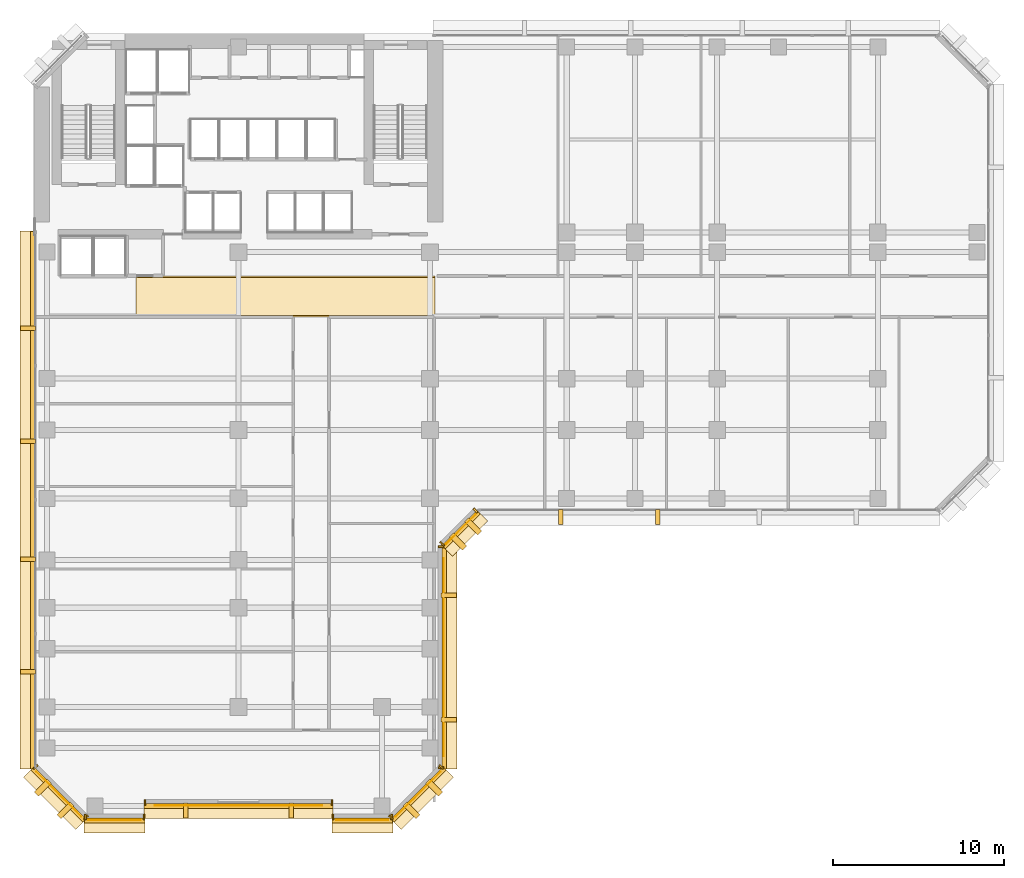
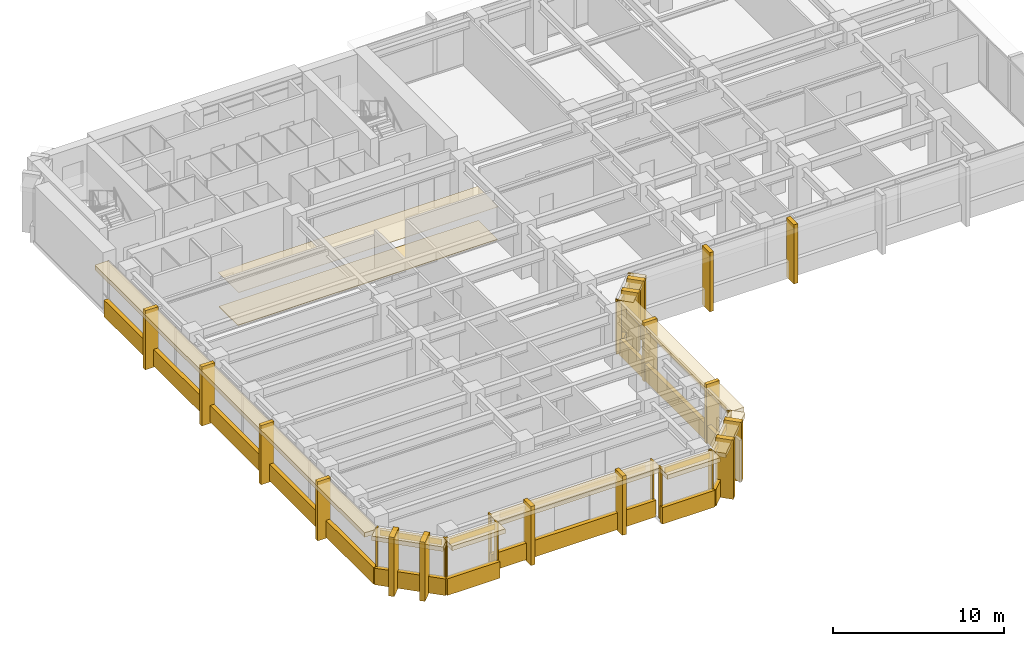
# One storey, part 10 of 14: 55 coverings.
"""IFC4 building model written with IfcOpenShell, lengths in metres."""

from ifc_helpers import new_model, si_unit, direction, frame, origin, origin_2d, place, context, subcontext, project, spatial, polyline, rectangle, outline, extrude, material, layer, layer_set, type_object, element, save


model = new_model("IFC4")

# Units and contexts
model_context = context("Model", 3, precision=1e-05, world=origin(), true_north=direction((0.0, 1.0)))
body_context = subcontext(model_context, "Body", "Model", "MODEL_VIEW")
ifc_project = project(units=[si_unit("LENGTHUNIT", "METRE"), si_unit("AREAUNIT", "SQUARE_METRE"), si_unit("VOLUMEUNIT", "CUBIC_METRE"), si_unit("PLANEANGLEUNIT", "RADIAN"), si_unit("MASSUNIT", "GRAM", prefix="KILO")], contexts=[model_context])

# Site, building, storey
site_placement = place(None, origin())
site = spatial("IfcSite", under=ifc_project, at=site_placement, CompositionType="ELEMENT")
building_placement = place(site_placement, origin())
building = spatial("IfcBuilding", under=site, at=building_placement, Name="Kefirva Bronze Tower", CompositionType="ELEMENT")
storey_placement = place(building_placement, frame((0.0, 0.0, 66.0)))
storey = spatial("IfcBuildingStorey", under=building, at=storey_placement, Name="L15", CompositionType="ELEMENT", Elevation=66.0)

# Coverings
ifc_material_1 = material(Name="Acoustic mineral tile")
ifc_layer_1 = layer(ifc_material_1, 0.02490234375, Name="Acoustic mineral tile")
ifc_layer_set_1 = layer_set([ifc_layer_1], Name="Acoustic mineral tile")
covering_type_1 = type_object("IfcCoveringType", Name="Acoustic Mineral Suspended Ceiling 25mm", PredefinedType="CEILING", material=ifc_layer_set_1)
covering_1_placement = place(storey_placement, frame((0.0, 0.0, 2.39990234375)))
element("IfcCovering", 1, at=covering_1_placement, inside=storey, type_object=covering_type_1, Name="L15 Corridor Acoustic Ceiling", PredefinedType="CEILING", context=body_context, shape_type="SweptSolid", body=[
    extrude(outline(polyline([(6.0, 29.39990234375), (23.5, 29.39990234375), (23.5, 31.800048828125), (6.0, 31.800048828125), (6.0, 29.39990234375)])), origin(), (0.0, 0.0, 1.0), 0.025146484375),
])
ifc_material_2 = material(Name="Bronze anodised aluminium", Category="aluminium")
ifc_layer_2 = layer(ifc_material_2, 0.02001953125, Name="Bronze anodised aluminium")
ifc_layer_set_2 = layer_set([ifc_layer_2], Name="Bronze anodised aluminium")
covering_type_2 = type_object("IfcCoveringType", Name="Anodised Bronze Spandrel Cladding 20mm", PredefinedType="CLADDING", material=ifc_layer_set_2)
covering_2_placement = place(storey_placement, frame((4.75, -0.010009765625, 3.2900390625), z_axis=(0.0, 0.0, 1.0), x_axis=(1.0, 0.0, 0.0)))
element("IfcCovering", 2, at=covering_2_placement, inside=storey, type_object=covering_type_2, Name="L15 Bronze Spandrel Cladding 1", PredefinedType="CLADDING", context=body_context, shape_type="SweptSolid", body=[
    extrude(rectangle(XDim=3.051025390625, YDim=0.02001953125, at=origin_2d()), origin(), (0.0, 0.0, 1.0), 0.39990234375),
])
for number, where, z_axis, x_axis, name in (
    (3, (3.034912109375, 0.159912109375, 0.0), (0.0, 0.0, 1.0), (1.0, 0.0, 0.0), "L15 Facade Joint Closure Panel 1S"),
    (4, (6.465087890625, 0.159912109375, 0.0), (0.0, 0.0, 1.0), (1.0, 0.0, 0.0), "L15 Facade Joint Closure Panel 1E"),
):
    element("IfcCovering", number, at=place(storey_placement, frame(where, z_axis=z_axis, x_axis=x_axis)), inside=storey, type_object=covering_type_2, Name=name, PredefinedType="CLADDING", context=body_context, shape_type="SweptSolid", body=[
        extrude(rectangle(XDim=0.10009765625, YDim=0.320068359375, at=origin_2d()), origin(), (0.0, 0.0, 1.0), 3.7099609375),
    ])
covering_3_placement = place(storey_placement, frame((4.75, -0.0400390625, -0.16015625), z_axis=(0.0, 0.0, 1.0), x_axis=(1.0, 0.0, 0.0)))
element("IfcCovering", 5, at=covering_3_placement, inside=storey, type_object=covering_type_2, Name="L15 Streamline Horizontal Spandrel Band 0", PredefinedType="CLADDING", context=body_context, shape_type="SweptSolid", body=[
    extrude(rectangle(XDim=3.5400390625, YDim=0.280029296875, at=origin_2d()), origin(), (0.0, 0.0, 1.0), 1.179931640625),
])
covering_4_placement = place(storey_placement, frame((12.0, 0.840087890625, 3.2900390625), z_axis=(0.0, 0.0, 1.0), x_axis=(1.0, 0.0, 0.0)))
element("IfcCovering", 6, at=covering_4_placement, inside=storey, type_object=covering_type_2, Name="L15 Bronze Spandrel Cladding 2", PredefinedType="CLADDING", context=body_context, shape_type="SweptSolid", body=[
    extrude(rectangle(XDim=9.801025390625, YDim=0.02001953125, at=origin_2d()), origin(), (0.0, 0.0, 1.0), 0.39990234375),
])
for number, where, z_axis, x_axis, name in (
    (7, (6.534912109375, 1.010009765625, 0.0), (0.0, 0.0, 1.0), (1.0, 0.0, 0.0), "L15 Facade Joint Closure Panel 2S"),
    (8, (17.465087890625, 1.010009765625, 0.0), (0.0, 0.0, 1.0), (1.0, 0.0, 0.0), "L15 Facade Joint Closure Panel 2E"),
):
    element("IfcCovering", number, at=place(storey_placement, frame(where, z_axis=z_axis, x_axis=x_axis)), inside=storey, type_object=covering_type_2, Name=name, PredefinedType="CLADDING", context=body_context, shape_type="SweptSolid", body=[
        extrude(rectangle(XDim=0.10009765625, YDim=0.320068359375, at=origin_2d()), origin(), (0.0, 0.0, 1.0), 3.7099609375),
    ])
covering_5_placement = place(storey_placement, frame((12.0, 0.81005859375, -0.16015625), z_axis=(0.0, 0.0, 1.0), x_axis=(1.0, 0.0, 0.0)))
element("IfcCovering", 9, at=covering_5_placement, inside=storey, type_object=covering_type_2, Name="L15 Streamline Horizontal Spandrel Band 2", PredefinedType="CLADDING", context=body_context, shape_type="SweptSolid", body=[
    extrude(rectangle(XDim=11.0400390625, YDim=0.280029296875, at=origin_2d()), origin(), (0.0, 0.0, 1.0), 1.179931640625),
])
covering_6_placement = place(storey_placement, frame((19.25, -0.010009765625, 3.2900390625), z_axis=(0.0, 0.0, 1.0), x_axis=(1.0, 0.0, 0.0)))
element("IfcCovering", 10, at=covering_6_placement, inside=storey, type_object=covering_type_2, Name="L15 Bronze Spandrel Cladding 3", PredefinedType="CLADDING", context=body_context, shape_type="SweptSolid", body=[
    extrude(rectangle(XDim=3.051025390625, YDim=0.02001953125, at=origin_2d()), origin(), (0.0, 0.0, 1.0), 0.39990234375),
])
for number, where, z_axis, x_axis, name in (
    (11, (17.534912109375, 0.159912109375, 0.0), (0.0, 0.0, 1.0), (1.0, 0.0, 0.0), "L15 Facade Joint Closure Panel 3S"),
    (12, (20.965087890625, 0.159912109375, 0.0), (0.0, 0.0, 1.0), (1.0, 0.0, 0.0), "L15 Facade Joint Closure Panel 3E"),
):
    element("IfcCovering", number, at=place(storey_placement, frame(where, z_axis=z_axis, x_axis=x_axis)), inside=storey, type_object=covering_type_2, Name=name, PredefinedType="CLADDING", context=body_context, shape_type="SweptSolid", body=[
        extrude(rectangle(XDim=0.10009765625, YDim=0.320068359375, at=origin_2d()), origin(), (0.0, 0.0, 1.0), 3.7099609375),
    ])
covering_7_placement = place(storey_placement, frame((19.25, -0.0400390625, -0.16015625), z_axis=(0.0, 0.0, 1.0), x_axis=(1.0, 0.0, 0.0)))
element("IfcCovering", 13, at=covering_7_placement, inside=storey, type_object=covering_type_2, Name="L15 Streamline Horizontal Spandrel Band 4", PredefinedType="CLADDING", context=body_context, shape_type="SweptSolid", body=[
    extrude(rectangle(XDim=3.5400390625, YDim=0.280029296875, at=origin_2d()), origin(), (0.0, 0.0, 1.0), 1.179931640625),
])
covering_8_placement = place(storey_placement, frame((22.507080078125, 1.492919921875, 3.2900390625), z_axis=(0.0, 0.0, 1.0), x_axis=(0.707106781187, 0.707106781187, 0.0)))
element("IfcCovering", 14, at=covering_8_placement, inside=storey, type_object=covering_type_2, Name="L15 Bronze Spandrel Cladding 4", PredefinedType="CLADDING", context=body_context, shape_type="SweptSolid", body=[
    extrude(rectangle(XDim=3.719482421875, YDim=0.02001953125, at=origin_2d()), origin(), (0.0, 0.0, 1.0), 0.39990234375),
])
for number, where, z_axis, x_axis, name in (
    (15, (20.91162109375, 0.137939453125, 0.0), (0.0, 0.0, 1.0), (0.707106781187, 0.707106781187, 0.0), "L15 Facade Joint Closure Panel 4S"),
    (16, (23.862060546875, 3.08837890625, 0.0), (0.0, 0.0, 1.0), (0.707106781187, 0.707106781187, 0.0), "L15 Facade Joint Closure Panel 4E"),
):
    element("IfcCovering", number, at=place(storey_placement, frame(where, z_axis=z_axis, x_axis=x_axis)), inside=storey, type_object=covering_type_2, Name=name, PredefinedType="CLADDING", context=body_context, shape_type="SweptSolid", body=[
        extrude(rectangle(XDim=0.10009765625, YDim=0.320068359375, at=origin_2d()), origin(), (0.0, 0.0, 1.0), 3.7099609375),
    ])
covering_9_placement = place(storey_placement, frame((22.5283203125, 1.4716796875, -0.16015625), z_axis=(0.0, 0.0, 1.0), x_axis=(0.707106781187, 0.707106781187, 0.0)))
element("IfcCovering", 17, at=covering_9_placement, inside=storey, type_object=covering_type_2, Name="L15 Streamline Horizontal Spandrel Band 5", PredefinedType="CLADDING", context=body_context, shape_type="SweptSolid", body=[
    extrude(rectangle(XDim=4.28271484375, YDim=0.280029296875, at=origin_2d()), origin(), (0.0, 0.0, 1.0), 1.179931640625),
])
covering_10_placement = place(storey_placement, frame((24.010009765625, 9.5, 3.2900390625), z_axis=(0.0, 0.0, 1.0), x_axis=(0.0, 1.0, 0.0)))
element("IfcCovering", 18, at=covering_10_placement, inside=storey, type_object=covering_type_2, Name="L15 Bronze Spandrel Cladding 5", PredefinedType="CLADDING", context=body_context, shape_type="SweptSolid", body=[
    extrude(rectangle(XDim=11.60107421875, YDim=0.02001953125, at=origin_2d()), origin(), (0.0, 0.0, 1.0), 0.39990234375),
])
for number, where, z_axis, x_axis, name in (
    (19, (23.840087890625, 3.034912109375, 0.0), (0.0, 0.0, 1.0), (0.0, 1.0, 0.0), "L15 Facade Joint Closure Panel 5S"),
    (20, (23.840087890625, 15.965087890625, 0.0), (0.0, 0.0, 1.0), (0.0, 1.0, 0.0), "L15 Facade Joint Closure Panel 5E"),
):
    element("IfcCovering", number, at=place(storey_placement, frame(where, z_axis=z_axis, x_axis=x_axis)), inside=storey, type_object=covering_type_2, Name=name, PredefinedType="CLADDING", context=body_context, shape_type="SweptSolid", body=[
        extrude(rectangle(XDim=0.10009765625, YDim=0.320068359375, at=origin_2d()), origin(), (0.0, 0.0, 1.0), 3.7099609375),
    ])
covering_11_placement = place(storey_placement, frame((24.0400390625, 9.5, -0.16015625), z_axis=(0.0, 0.0, 1.0), x_axis=(0.0, 1.0, 0.0)))
element("IfcCovering", 21, at=covering_11_placement, inside=storey, type_object=covering_type_2, Name="L15 Streamline Horizontal Spandrel Band 6", PredefinedType="CLADDING", context=body_context, shape_type="SweptSolid", body=[
    extrude(rectangle(XDim=13.0400390625, YDim=0.280029296875, at=origin_2d()), origin(), (0.0, 0.0, 1.0), 1.179931640625),
])
covering_12_placement = place(storey_placement, frame((25.007080078125, 16.992919921875, 3.2900390625), z_axis=(0.0, 0.0, 1.0), x_axis=(0.707106781187, 0.707106781187, 0.0)))
element("IfcCovering", 22, at=covering_12_placement, inside=storey, type_object=covering_type_2, Name="L15 Bronze Spandrel Cladding 6", PredefinedType="CLADDING", context=body_context, shape_type="SweptSolid", body=[
    extrude(rectangle(XDim=2.446533203125, YDim=0.02001953125, at=origin_2d()), origin(), (0.0, 0.0, 1.0), 0.39990234375),
])
for number, where, z_axis, x_axis, name in (
    (23, (23.91162109375, 16.137939453125, 0.0), (0.0, 0.0, 1.0), (0.707106781187, 0.707106781187, 0.0), "L15 Facade Joint Closure Panel 6S"),
    (24, (25.862060546875, 18.08837890625, 0.0), (0.0, 0.0, 1.0), (0.707106781187, 0.707106781187, 0.0), "L15 Facade Joint Closure Panel 6E"),
):
    element("IfcCovering", number, at=place(storey_placement, frame(where, z_axis=z_axis, x_axis=x_axis)), inside=storey, type_object=covering_type_2, Name=name, PredefinedType="CLADDING", context=body_context, shape_type="SweptSolid", body=[
        extrude(rectangle(XDim=0.10009765625, YDim=0.320068359375, at=origin_2d()), origin(), (0.0, 0.0, 1.0), 3.7099609375),
    ])
covering_13_placement = place(storey_placement, frame((25.0283203125, 16.9716796875, -0.16015625), z_axis=(0.0, 0.0, 1.0), x_axis=(0.707106781187, 0.707106781187, 0.0)))
element("IfcCovering", 25, at=covering_13_placement, inside=storey, type_object=covering_type_2, Name="L15 Streamline Horizontal Spandrel Band 7", PredefinedType="CLADDING", context=body_context, shape_type="SweptSolid", body=[
    extrude(rectangle(XDim=2.868408203125, YDim=0.280029296875, at=origin_2d()), origin(), (0.0, 0.0, 1.0), 1.179931640625),
])
covering_14_placement = place(storey_placement, frame((-0.0400390625, 18.697509765625, -0.16015625), z_axis=(0.0, 0.0, 1.0), x_axis=(0.0, -1.0, 0.0)))
element("IfcCovering", 26, at=covering_14_placement, inside=storey, type_object=covering_type_2, Name="L15 Streamline Horizontal Spandrel Band 14", PredefinedType="CLADDING", context=body_context, shape_type="SweptSolid", body=[
    extrude(rectangle(XDim=31.43505859375, YDim=0.280029296875, at=origin_2d()), origin(), (0.0, 0.0, 1.0), 1.179931640625),
])
covering_15_placement = place(storey_placement, frame((1.492919921875, 1.492919921875, 3.2900390625), z_axis=(0.0, 0.0, 1.0), x_axis=(0.707106781187, -0.707106781187, 0.0)))
element("IfcCovering", 27, at=covering_15_placement, inside=storey, type_object=covering_type_2, Name="L15 Bronze Spandrel Cladding 10", PredefinedType="CLADDING", context=body_context, shape_type="SweptSolid", body=[
    extrude(rectangle(XDim=3.719482421875, YDim=0.02001953125, at=origin_2d()), origin(), (0.0, 0.0, 1.0), 0.39990234375),
])
for number, where, z_axis, x_axis, name in (
    (28, (0.137939453125, 3.08837890625, 0.0), (0.0, 0.0, 1.0), (0.707106781187, -0.707106781187, 0.0), "L15 Facade Joint Closure Panel 10S"),
    (29, (3.08837890625, 0.137939453125, 0.0), (0.0, 0.0, 1.0), (0.707106781187, -0.707106781187, 0.0), "L15 Facade Joint Closure Panel 10E"),
):
    element("IfcCovering", number, at=place(storey_placement, frame(where, z_axis=z_axis, x_axis=x_axis)), inside=storey, type_object=covering_type_2, Name=name, PredefinedType="CLADDING", context=body_context, shape_type="SweptSolid", body=[
        extrude(rectangle(XDim=0.10009765625, YDim=0.320068359375, at=origin_2d()), origin(), (0.0, 0.0, 1.0), 3.7099609375),
    ])
covering_16_placement = place(storey_placement, frame((1.4716796875, 1.4716796875, -0.16015625), z_axis=(0.0, 0.0, 1.0), x_axis=(0.707106781187, -0.707106781187, 0.0)))
element("IfcCovering", 30, at=covering_16_placement, inside=storey, type_object=covering_type_2, Name="L15 Streamline Horizontal Spandrel Band 15", PredefinedType="CLADDING", context=body_context, shape_type="SweptSolid", body=[
    extrude(rectangle(XDim=4.28271484375, YDim=0.280029296875, at=origin_2d()), origin(), (0.0, 0.0, 1.0), 1.179931640625),
])
ifc_material_3 = material(Name="Calcium sulphate access tile")
ifc_layer_3 = layer(ifc_material_3, 0.044921875, Name="Calcium sulphate access tile")
ifc_layer_set_3 = layer_set([ifc_layer_3], Name="Calcium sulphate access tile")
covering_type_3 = type_object("IfcCoveringType", Name="Raised Access Office Flooring 45mm", PredefinedType="FLOORING", material=ifc_layer_set_3)
covering_17_placement = place(storey_placement, origin())
element("IfcCovering", 31, at=covering_17_placement, inside=storey, type_object=covering_type_3, Name="L15 Architectural Finish Flooring", PredefinedType="FLOORING", context=body_context, shape_type="SweptSolid", body=[
    extrude(outline(polyline([(6.0, 29.47998046875), (23.5, 29.47998046875), (23.5, 31.719970703125), (6.0, 31.719970703125), (6.0, 29.47998046875)])), origin(), (0.0, 0.0, 1.0), 0.044921875),
])
ifc_layer_4 = layer(ifc_material_2, 0.179931640625, Name="Bronze anodised aluminium")
ifc_layer_set_4 = layer_set([ifc_layer_4], Name="Bronze anodised aluminium")
covering_type_4 = type_object("IfcCoveringType", Name="Streamline Bronze Sunshade Eyebrow Cladding 180mm", PredefinedType="CLADDING", material=ifc_layer_set_4)
covering_18_placement = place(storey_placement, frame((4.75, -0.31005859375, 3.39013671875), z_axis=(0.0, 0.0, 1.0), x_axis=(1.0, 0.0, 0.0)))
element("IfcCovering", 32, at=covering_18_placement, inside=storey, type_object=covering_type_4, Name="L15 Streamline Bronze Sunshade Eyebrow 0", PredefinedType="CLADDING", context=body_context, shape_type="SweptSolid", body=[
    extrude(rectangle(XDim=3.580078125, YDim=0.93994140625, at=origin_2d()), origin(), (0.0, 0.0, 1.0), 0.320068359375),
])
covering_19_placement = place(storey_placement, frame((12.0, 0.5400390625, 3.39013671875), z_axis=(0.0, 0.0, 1.0), x_axis=(1.0, 0.0, 0.0)))
element("IfcCovering", 33, at=covering_19_placement, inside=storey, type_object=covering_type_4, Name="L15 Streamline Bronze Sunshade Eyebrow 2", PredefinedType="CLADDING", context=body_context, shape_type="SweptSolid", body=[
    extrude(rectangle(XDim=11.080078125, YDim=0.93994140625, at=origin_2d()), origin(), (0.0, 0.0, 1.0), 0.320068359375),
])
covering_20_placement = place(storey_placement, frame((19.25, -0.31005859375, 3.39013671875), z_axis=(0.0, 0.0, 1.0), x_axis=(1.0, 0.0, 0.0)))
element("IfcCovering", 34, at=covering_20_placement, inside=storey, type_object=covering_type_4, Name="L15 Streamline Bronze Sunshade Eyebrow 4", PredefinedType="CLADDING", context=body_context, shape_type="SweptSolid", body=[
    extrude(rectangle(XDim=3.580078125, YDim=0.93994140625, at=origin_2d()), origin(), (0.0, 0.0, 1.0), 0.320068359375),
])
covering_21_placement = place(storey_placement, frame((22.71923828125, 1.28076171875, 3.39013671875), z_axis=(0.0, 0.0, 1.0), x_axis=(0.707106781187, 0.707106781187, 0.0)))
element("IfcCovering", 35, at=covering_21_placement, inside=storey, type_object=covering_type_4, Name="L15 Streamline Bronze Sunshade Eyebrow 5", PredefinedType="CLADDING", context=body_context, shape_type="SweptSolid", body=[
    extrude(rectangle(XDim=4.322509765625, YDim=0.93994140625, at=origin_2d()), origin(), (0.0, 0.0, 1.0), 0.320068359375),
])
covering_22_placement = place(storey_placement, frame((24.31005859375, 9.5, 3.39013671875), z_axis=(0.0, 0.0, 1.0), x_axis=(0.0, 1.0, 0.0)))
element("IfcCovering", 36, at=covering_22_placement, inside=storey, type_object=covering_type_4, Name="L15 Streamline Bronze Sunshade Eyebrow 6", PredefinedType="CLADDING", context=body_context, shape_type="SweptSolid", body=[
    extrude(rectangle(XDim=13.080078125, YDim=0.93994140625, at=origin_2d()), origin(), (0.0, 0.0, 1.0), 0.320068359375),
])
covering_23_placement = place(storey_placement, frame((25.21923828125, 16.78076171875, 3.39013671875), z_axis=(0.0, 0.0, 1.0), x_axis=(0.707106781187, 0.707106781187, 0.0)))
element("IfcCovering", 37, at=covering_23_placement, inside=storey, type_object=covering_type_4, Name="L15 Streamline Bronze Sunshade Eyebrow 7", PredefinedType="CLADDING", context=body_context, shape_type="SweptSolid", body=[
    extrude(rectangle(XDim=2.908447265625, YDim=0.93994140625, at=origin_2d()), origin(), (0.0, 0.0, 1.0), 0.320068359375),
])
covering_24_placement = place(storey_placement, frame((-0.31005859375, 18.697509765625, 3.39013671875), z_axis=(0.0, 0.0, 1.0), x_axis=(0.0, -1.0, 0.0)))
element("IfcCovering", 38, at=covering_24_placement, inside=storey, type_object=covering_type_4, Name="L15 Streamline Bronze Sunshade Eyebrow 14", PredefinedType="CLADDING", context=body_context, shape_type="SweptSolid", body=[
    extrude(rectangle(XDim=31.47509765625, YDim=0.93994140625, at=origin_2d()), origin(), (0.0, 0.0, 1.0), 0.320068359375),
])
covering_25_placement = place(storey_placement, frame((1.28076171875, 1.28076171875, 3.39013671875), z_axis=(0.0, 0.0, 1.0), x_axis=(0.707106781187, -0.707106781187, 0.0)))
element("IfcCovering", 39, at=covering_25_placement, inside=storey, type_object=covering_type_4, Name="L15 Streamline Bronze Sunshade Eyebrow 15", PredefinedType="CLADDING", context=body_context, shape_type="SweptSolid", body=[
    extrude(rectangle(XDim=4.322509765625, YDim=0.93994140625, at=origin_2d()), origin(), (0.0, 0.0, 1.0), 0.320068359375),
])
ifc_layer_5 = layer(ifc_material_2, 0.260009765625, Name="Bronze anodised aluminium")
ifc_layer_set_5 = layer_set([ifc_layer_5], Name="Bronze anodised aluminium")
covering_type_5 = type_object("IfcCoveringType", Name="Unbroken Bronze Buttress Fin Cladding 260mm", PredefinedType="CLADDING", material=ifc_layer_set_5)
for number, where, z_axis, x_axis, name in (
    (40, (8.919921875, 0.550048828125, -0.25), (0.0, 0.0, 1.0), (1.0, 0.0, 0.0), "L15 Unbroken Vertical Bronze Rib Fin 1"),
    (41, (15.080078125, 0.550048828125, -0.25), (0.0, 0.0, 1.0), (1.0, 0.0, 0.0), "L15 Unbroken Vertical Bronze Rib Fin 2"),
):
    element("IfcCovering", number, at=place(storey_placement, frame(where, z_axis=z_axis, x_axis=x_axis)), inside=storey, type_object=covering_type_5, Name=name, PredefinedType="CLADDING", context=body_context, shape_type="SweptSolid", body=[
        extrude(rectangle(XDim=0.260009765625, YDim=0.8798828125, at=origin_2d()), origin(), (0.0, 0.0, 1.0), 4.2099609375),
    ])
for number, where, z_axis, x_axis, name in (
    (42, (22.122802734375, 0.55712890625, -0.25), (0.0, 0.0, 1.0), (0.707106781187, 0.707106781187, 0.0), "L15 Chamfered Corner Buttress Fin Cladding 3"),
    (43, (23.44287109375, 1.877197265625, -0.25), (0.0, 0.0, 1.0), (0.707106781187, 0.707106781187, 0.0), "L15 Chamfered Corner Buttress Fin Cladding 4"),
):
    element("IfcCovering", number, at=place(storey_placement, frame(where, z_axis=z_axis, x_axis=x_axis)), inside=storey, type_object=covering_type_5, Name=name, PredefinedType="CLADDING", context=body_context, shape_type="SweptSolid", body=[
        extrude(rectangle(XDim=0.340087890625, YDim=1.080078125, at=origin_2d()), origin(), (0.0, 0.0, 1.0), 4.2099609375),
    ])
for number, where, z_axis, x_axis, name in (
    (44, (24.300048828125, 5.860107421875, -0.25), (0.0, 0.0, 1.0), (0.0, 1.0, 0.0), "L15 Unbroken Vertical Bronze Rib Fin 5"),
    (45, (24.300048828125, 13.139892578125, -0.25), (0.0, 0.0, 1.0), (0.0, 1.0, 0.0), "L15 Unbroken Vertical Bronze Rib Fin 6"),
):
    element("IfcCovering", number, at=place(storey_placement, frame(where, z_axis=z_axis, x_axis=x_axis)), inside=storey, type_object=covering_type_5, Name=name, PredefinedType="CLADDING", context=body_context, shape_type="SweptSolid", body=[
        extrude(rectangle(XDim=0.260009765625, YDim=0.8798828125, at=origin_2d()), origin(), (0.0, 0.0, 1.0), 4.2099609375),
    ])
for number, where, z_axis, x_axis, name in (
    (46, (24.8427734375, 16.277099609375, -0.25), (0.0, 0.0, 1.0), (0.707106781187, 0.707106781187, 0.0), "L15 Chamfered Corner Buttress Fin Cladding 7"),
    (47, (25.722900390625, 17.1572265625, -0.25), (0.0, 0.0, 1.0), (0.707106781187, 0.707106781187, 0.0), "L15 Chamfered Corner Buttress Fin Cladding 8"),
):
    element("IfcCovering", number, at=place(storey_placement, frame(where, z_axis=z_axis, x_axis=x_axis)), inside=storey, type_object=covering_type_5, Name=name, PredefinedType="CLADDING", context=body_context, shape_type="SweptSolid", body=[
        extrude(rectangle(XDim=0.340087890625, YDim=1.080078125, at=origin_2d()), origin(), (0.0, 0.0, 1.0), 4.2099609375),
    ])
for number, where, z_axis, x_axis, name in (
    (48, (30.860107421875, 17.699951171875, -0.25), (0.0, 0.0, 1.0), (1.0, 0.0, 0.0), "L15 Unbroken Vertical Bronze Rib Fin 9"),
    (49, (36.530029296875, 17.699951171875, -0.25), (0.0, 0.0, 1.0), (1.0, 0.0, 0.0), "L15 Unbroken Vertical Bronze Rib Fin 10"),
    (50, (-0.300048828125, 28.743896484375, -0.25), (0.0, 0.0, 1.0), (0.0, -1.0, 0.0), "L15 Unbroken Vertical Bronze Rib Fin 25"),
    (51, (-0.300048828125, 22.15087890625, -0.25), (0.0, 0.0, 1.0), (0.0, -1.0, 0.0), "L15 Unbroken Vertical Bronze Rib Fin 26"),
    (52, (-0.300048828125, 15.244140625, -0.25), (0.0, 0.0, 1.0), (0.0, -1.0, 0.0), "L15 Unbroken Vertical Bronze Rib Fin 27"),
    (53, (-0.300048828125, 8.651123046875, -0.25), (0.0, 0.0, 1.0), (0.0, -1.0, 0.0), "L15 Unbroken Vertical Bronze Rib Fin 28"),
):
    element("IfcCovering", number, at=place(storey_placement, frame(where, z_axis=z_axis, x_axis=x_axis)), inside=storey, type_object=covering_type_5, Name=name, PredefinedType="CLADDING", context=body_context, shape_type="SweptSolid", body=[
        extrude(rectangle(XDim=0.260009765625, YDim=0.8798828125, at=origin_2d()), origin(), (0.0, 0.0, 1.0), 4.2099609375),
    ])
for number, where, z_axis, x_axis, name in (
    (54, (0.55712890625, 1.877197265625, -0.25), (0.0, 0.0, 1.0), (0.707106781187, -0.707106781187, 0.0), "L15 Chamfered Corner Buttress Fin Cladding 29"),
    (55, (1.877197265625, 0.55712890625, -0.25), (0.0, 0.0, 1.0), (0.707106781187, -0.707106781187, 0.0), "L15 Chamfered Corner Buttress Fin Cladding 30"),
):
    element("IfcCovering", number, at=place(storey_placement, frame(where, z_axis=z_axis, x_axis=x_axis)), inside=storey, type_object=covering_type_5, Name=name, PredefinedType="CLADDING", context=body_context, shape_type="SweptSolid", body=[
        extrude(rectangle(XDim=0.340087890625, YDim=1.080078125, at=origin_2d()), origin(), (0.0, 0.0, 1.0), 4.2099609375),
    ])

save(model, "model.ifc")
